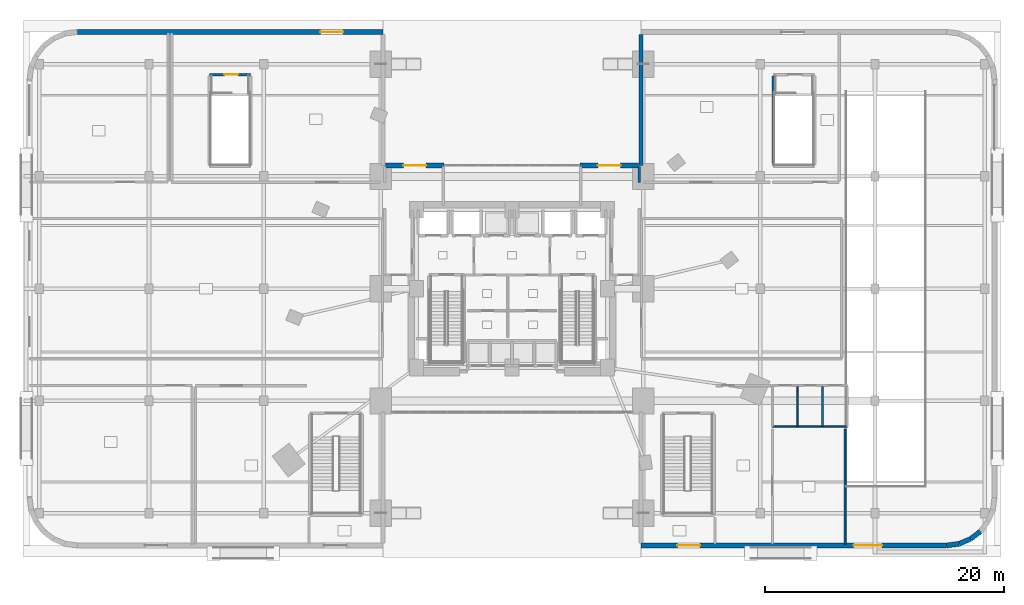
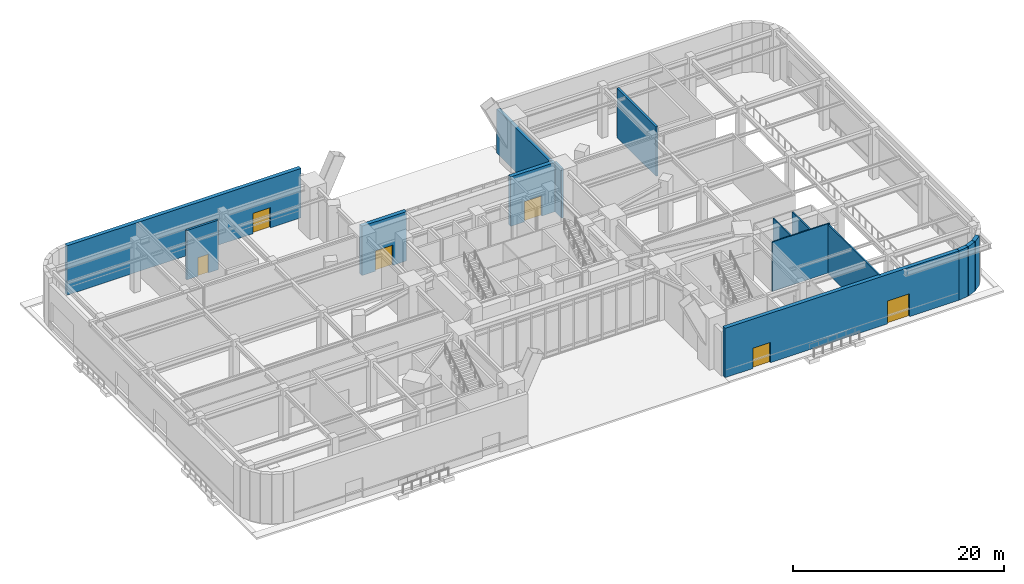
# One storey, part 20 of 27: 15 walls, 6 doors, 6 openings.
"""IFC4 building model written with IfcOpenShell, lengths in metres."""

import ifcopenshell
import ifcopenshell.guid

model = None  # the IFC model being written
_history = None  # IfcOwnerHistory: only IFC2X3 demands one
_inside = {}  # id of a spatial element -> (the spatial element, [elements in it])
_under = {}  # id of a project, library or spatial element -> (it, [spatial elements below it])
_declared = {}  # id of a project -> (the project, [libraries it declares])
_typed = {}  # id of a type object -> (the type object, [elements of that type])
_made_of = {}  # id of a material, layer set ... -> (it, [elements and type objects made of it])


def new_model(schema):
    """Start an empty IFC model of exactly this schema.

    Asked for "IFC4X3", IfcOpenShell would pick the latest addendum, in which some entities
    have other attributes; the version numbers below select the first issue.
    IFC2X3 requires an IfcOwnerHistory on every rooted entity: one is made here for all.
    """
    global model, _history
    if schema == "IFC4X3":
        model = ifcopenshell.file(schema_version=(4, 3, 0, 0))
    else:
        model = ifcopenshell.file(schema=schema)
    _inside.clear()
    _under.clear()
    _declared.clear()
    _typed.clear()
    _made_of.clear()
    _history = None
    if model.schema == "IFC2X3":
        org = make("IfcOrganization", Name="unknown")
        user = make(
            "IfcPersonAndOrganization",
            ThePerson=make("IfcPerson", FamilyName="unknown"),
            TheOrganization=org,
        )
        app = make(
            "IfcApplication",
            ApplicationDeveloper=org,
            Version="unknown",
            ApplicationFullName="unknown",
            ApplicationIdentifier="unknown",
        )
        _history = make(
            "IfcOwnerHistory",
            OwningUser=user,
            OwningApplication=app,
            ChangeAction="ADDED",
            CreationDate=0,
        )
    return model


def make(cls, **values):
    """One entity of the class cls with the attributes given. An attribute that is None is left unset."""
    return model.create_entity(
        cls, **{name: value for name, value in values.items() if value is not None}
    )


def rooted(cls, **values):
    """An entity with a GlobalId (a new one), such as an element, a storey or a relation."""
    return make(cls, GlobalId=ifcopenshell.guid.new(), OwnerHistory=_history, **values)


def si_unit(unit_type, name, prefix=None):
    """IfcSIUnit, for example si_unit("LENGTHUNIT", "METRE", prefix="MILLI")."""
    return make("IfcSIUnit", UnitType=unit_type, Prefix=prefix, Name=name)


def assignment(units):
    """IfcUnitAssignment: the units of a project."""
    return None if units is None else make("IfcUnitAssignment", Units=units)


def point(xyz):
    """IfcCartesianPoint."""
    return None if xyz is None else make("IfcCartesianPoint", Coordinates=xyz)


def direction(xyz):
    """IfcDirection."""
    return None if xyz is None else make("IfcDirection", DirectionRatios=xyz)


def frame(location, z_axis=None, x_axis=None):
    """IfcAxis2Placement3D, a coordinate frame: its origin and axes. An axis left out is left unset."""
    return make(
        "IfcAxis2Placement3D",
        Location=point(location),
        Axis=direction(z_axis),
        RefDirection=direction(x_axis),
    )


def frame_2d(location, x_axis=None):
    """IfcAxis2Placement2D, a coordinate frame in the plane: its origin and x axis."""
    return make(
        "IfcAxis2Placement2D", Location=point(location), RefDirection=direction(x_axis)
    )


def origin():
    """The frame at (0, 0, 0) with its axes left unset."""
    return frame((0.0, 0.0, 0.0))


def place(relative_to, where):
    """IfcLocalPlacement: puts the frame where relative to a parent placement (None: the world)."""
    return make(
        "IfcLocalPlacement", PlacementRelTo=relative_to, RelativePlacement=where
    )


def context(
    kind, dimensions, precision=None, world=None, true_north=None, identifier=None
):
    """IfcGeometricRepresentationContext, for example the 3D "Model" context."""
    return make(
        "IfcGeometricRepresentationContext",
        ContextIdentifier=identifier,
        ContextType=kind,
        CoordinateSpaceDimension=dimensions,
        Precision=precision,
        WorldCoordinateSystem=world,
        TrueNorth=true_north,
    )


def subcontext(parent, identifier, kind, view, scale=None):
    """IfcGeometricRepresentationSubContext, for example "Body" below "Model"."""
    return make(
        "IfcGeometricRepresentationSubContext",
        ContextIdentifier=identifier,
        ContextType=kind,
        ParentContext=parent,
        TargetScale=scale,
        TargetView=view,
    )


def project(units=None, contexts=None):
    """IfcProject with its units and contexts."""
    return rooted(
        "IfcProject",
        Name="project",
        RepresentationContexts=contexts,
        UnitsInContext=assignment(units),
    )


def spatial(cls, under=None, at=None, **own):
    """A site, building, storey or space (cls), placed at a placement, below another one or the project."""
    s = rooted(cls, ObjectPlacement=at, **own)
    if under is not None:
        _under.setdefault(under.id(), (under, []))[1].append(s)
    return s


def profile(cls, at=None, kind="AREA", **sizes):
    """A parametric profile (cls). Its sizes go by their IFC names, for example OverallWidth=200.0."""
    return make(cls, ProfileType=kind, Position=at, **sizes)


def rectangle(**sizes):
    """IfcRectangleProfileDef."""
    return profile("IfcRectangleProfileDef", **sizes)


def extrude(swept, where, along, depth):
    """IfcExtrudedAreaSolid: the profile swept, set in the frame where, extruded along a direction by depth."""
    return make(
        "IfcExtrudedAreaSolid",
        SweptArea=swept,
        Position=where,
        ExtrudedDirection=direction(along),
        Depth=depth,
    )


def shape(context_of_items, identifier, shape_type, items):
    """IfcShapeRepresentation: the items that make up one representation, for example the "Body"."""
    return make(
        "IfcShapeRepresentation",
        ContextOfItems=context_of_items,
        RepresentationIdentifier=identifier,
        RepresentationType=shape_type,
        Items=items,
    )


def material(Name=None, Category=None):
    """IfcMaterial."""
    return make("IfcMaterial", Name=Name, Category=Category)


def layer(
    of_material, thickness, ventilated=None, Name=None, Category=None, Priority=None
):
    """IfcMaterialLayer: one layer of a wall or slab, of a material (None: an air gap)."""
    return make(
        "IfcMaterialLayer",
        Material=of_material,
        LayerThickness=thickness,
        IsVentilated=ventilated,
        Name=Name,
        Category=Category,
        Priority=Priority,
    )


def layer_set(layers, Name=None):
    """IfcMaterialLayerSet."""
    return make("IfcMaterialLayerSet", MaterialLayers=layers, LayerSetName=Name)


def made_of(thing, what):
    """Note that an element or type object is made of a material, layer set ...; save() writes the relation."""
    if what is not None:
        _made_of.setdefault(what.id(), (what, []))[1].append(thing)
    return thing


def type_object(cls, material=None, **own):
    """A type object (cls), such as IfcWallType, which elements share."""
    return made_of(rooted(cls, **own), material)


def element(
    cls,
    number,
    at=None,
    inside=None,
    cuts=None,
    type_object=None,
    material=None,
    context=None,
    identifier="Body",
    shape_type=None,
    held_by="IfcProductDefinitionShape",
    body=None,
    shapes=None,
    **own,
):
    """One element of the class cls, such as IfcWall. Its Tag is "e" and its number.

    at: its placement. inside: the storey or other place that contains it. cuts: it is an
    opening in that element (IfcRelVoidsElement). A single representation is given by context,
    identifier, shape_type and body (its items); several are given by shapes. held_by: the class
    of the entity that holds the representations. save() writes the other relations.
    """
    e = rooted(cls, Tag="e%d" % number, ObjectPlacement=at, **own)
    if body is not None:
        shapes = [shape(context, identifier, shape_type, body)]
    if shapes is not None:
        e.Representation = make(held_by, Representations=shapes)
    if inside is not None:
        _inside.setdefault(inside.id(), (inside, []))[1].append(e)
    if cuts is not None:
        rooted(
            "IfcRelVoidsElement", RelatingBuildingElement=cuts, RelatedOpeningElement=e
        )
    if type_object is not None:
        _typed.setdefault(type_object.id(), (type_object, []))[1].append(e)
    return made_of(e, material)


def fill(opening, filler):
    """IfcRelFillsElement: the door or window that sits in an opening."""
    return rooted(
        "IfcRelFillsElement",
        RelatingOpeningElement=opening,
        RelatedBuildingElement=filler,
    )


def aggregate(whole, parts):
    """IfcRelAggregates: a whole, such as a stair, and the parts it consists of."""
    return rooted("IfcRelAggregates", RelatingObject=whole, RelatedObjects=parts)


def save(model, path):
    """Write the relations noted so far, then the file.

    IfcRelAggregates (storeys below a building ...), IfcRelContainedInSpatialStructure (elements
    in a storey), IfcRelDefinesByType, IfcRelAssociatesMaterial and IfcRelDeclares: one each for
    every whole, place, type object, material and project.
    """
    for whole, parts in _under.values():
        aggregate(whole, parts)
    for where, things in _inside.values():
        rooted(
            "IfcRelContainedInSpatialStructure",
            RelatedElements=things,
            RelatingStructure=where,
        )
    for kind, things in _typed.values():
        rooted("IfcRelDefinesByType", RelatedObjects=things, RelatingType=kind)
    for what, things in _made_of.values():
        rooted("IfcRelAssociatesMaterial", RelatedObjects=things, RelatingMaterial=what)
    for by, libraries in _declared.values():
        rooted("IfcRelDeclares", RelatingContext=by, RelatedDefinitions=libraries)
    model.write(path)


model = new_model("IFC4")

# Units and contexts
model_context = context("Model", 3, precision=1e-05, world=origin(), true_north=direction((0.0, 1.0)))
body_context = subcontext(model_context, "Body", "Model", "MODEL_VIEW")
ifc_project = project(units=[si_unit("LENGTHUNIT", "METRE"), si_unit("AREAUNIT", "SQUARE_METRE"), si_unit("VOLUMEUNIT", "CUBIC_METRE"), si_unit("PLANEANGLEUNIT", "RADIAN"), si_unit("MASSUNIT", "GRAM", prefix="KILO")], contexts=[model_context])

# Site, building, storey
site_placement = place(None, origin())
site = spatial("IfcSite", under=ifc_project, at=site_placement, CompositionType="ELEMENT")
building_placement = place(site_placement, origin())
building = spatial("IfcBuilding", under=site, at=building_placement, Name="Ndelora Gate Hotel", CompositionType="ELEMENT")
storey_placement = place(building_placement, origin())
storey = spatial("IfcBuildingStorey", under=building, at=storey_placement, Name="L00", CompositionType="ELEMENT", Elevation=0.0)

# Wall
ifc_material_1 = material(Name="Clay Brick Masonry", Category="masonry")
ifc_layer_1 = layer(ifc_material_1, 0.360107421875)
ifc_layer_set_1 = layer_set([ifc_layer_1], Name="Clay Brick Masonry")
wall_type_1 = type_object("IfcWallType", Name="WL-BRICK-360", PredefinedType="SOLIDWALL", material=ifc_layer_set_1)
wall_1_placement = place(storey_placement, frame((10.800048828125, 21.2900390625, 0.0), z_axis=(0.0, 0.0, 1.0), x_axis=(0.0, -1.0, 0.0)))
element("IfcWall", 1, at=wall_1_placement, inside=storey, type_object=wall_type_1, Name="L00 Portal Arch Brick Return Wall NE-RET", PredefinedType="SOLIDWALL", context=body_context, shape_type="SweptSolid", body=[
    extrude(rectangle(XDim=10.969970703125, YDim=0.360107421875, at=frame_2d((5.48486328125, 0.0))), origin(), (0.0, 0.0, 1.0), 5.10009765625),
])

# Wall, opening, door
ifc_layer_2 = layer(ifc_material_1, 0.419921875)
ifc_layer_set_2 = layer_set([ifc_layer_2], Name="Clay Brick Masonry")
wall_type_2 = type_object("IfcWallType", Name="WL-BRICK-420", PredefinedType="SOLIDWALL", material=ifc_layer_set_2)
wall_2_placement = place(storey_placement, frame((-10.60009765625, 10.320068359375, 0.0), z_axis=(0.0, 0.0, 1.0), x_axis=(1.0, 0.0, 0.0)))
wall_2 = element("IfcWall", 2, at=wall_2_placement, inside=storey, type_object=wall_type_2, Name="L00 North Arch Protected Exit Wall W", PredefinedType="SOLIDWALL", context=body_context, shape_type="SweptSolid", body=[
    extrude(rectangle(XDim=4.900146484375, YDim=0.419921875, at=frame_2d((2.4501953125, 0.0))), origin(), (0.0, 0.0, 1.0), 5.719970703125),
])
opening_1_placement = place(wall_2_placement, frame((1.5, 0.0, 0.0)))
opening_1 = element("IfcOpeningElement", 3, at=opening_1_placement, cuts=wall_2, Name="Opening ED2", PredefinedType="OPENING", context=body_context, shape_type="SweptSolid", body=[
    extrude(rectangle(XDim=1.89990234375, YDim=2.35009765625, at=frame_2d((0.949951171875, 1.175048828125))), frame((0.0, 0.219970703125, 0.0), z_axis=(0.0, -1.0, 0.0), x_axis=(1.0, 0.0, 0.0)), (0.0, 0.0, 1.0), 0.43994140625),
])
ifc_material_2 = material(Name="Architectural Bronze Glazed Door", Category="metal")
door_type_1 = type_object("IfcDoorType", Name="DR-EXT-1900", OperationType="DOUBLE_DOOR_SINGLE_SWING", PredefinedType="DOOR", material=ifc_material_2)
door_1_placement = place(opening_1_placement, origin())
door_1 = element("IfcDoor", 4, at=door_1_placement, inside=storey, type_object=door_type_1, Name="L00 Core Stair ST4 Protected Exit Discharge Door E-11", OperationType="DOUBLE_DOOR_SINGLE_SWING", OverallHeight=2.35009765625, OverallWidth=1.89990234375, PredefinedType="DOOR", context=body_context, shape_type="SweptSolid", body=[
    extrude(rectangle(XDim=1.89990234375, YDim=2.35009765625, at=frame_2d((0.949951171875, 1.175048828125))), frame((0.0, 0.02490234375, 0.0), z_axis=(0.0, -1.0, 0.0), x_axis=(1.0, 0.0, 0.0)), (0.0, 0.0, 1.0), 0.050048828125),
])
fill(opening_1, door_1)

wall_3_placement = place(storey_placement, frame((5.699951171875, 10.320068359375, 0.0), z_axis=(0.0, 0.0, 1.0), x_axis=(1.0, 0.0, 0.0)))
wall_3 = element("IfcWall", 5, at=wall_3_placement, inside=storey, type_object=wall_type_2, Name="L00 North Arch Protected Exit Wall E", PredefinedType="SOLIDWALL", context=body_context, shape_type="SweptSolid", body=[
    extrude(rectangle(XDim=4.900146484375, YDim=0.419921875, at=frame_2d((2.4501953125, 0.0))), origin(), (0.0, 0.0, 1.0), 5.719970703125),
])
opening_2_placement = place(wall_3_placement, frame((1.5, 0.0, 0.0)))
opening_2 = element("IfcOpeningElement", 6, at=opening_2_placement, cuts=wall_3, Name="Opening ED2", PredefinedType="OPENING", context=body_context, shape_type="SweptSolid", body=[
    extrude(rectangle(XDim=1.89990234375, YDim=2.35009765625, at=frame_2d((0.949951171875, 1.175048828125))), frame((0.0, 0.219970703125, 0.0), z_axis=(0.0, -1.0, 0.0), x_axis=(1.0, 0.0, 0.0)), (0.0, 0.0, 1.0), 0.43994140625),
])
door_2_placement = place(opening_2_placement, origin())
door_2 = element("IfcDoor", 7, at=door_2_placement, inside=storey, type_object=door_type_1, Name="L00 Core Stair ST5 Protected Exit Discharge Door E-12", OperationType="DOUBLE_DOOR_SINGLE_SWING", OverallHeight=2.35009765625, OverallWidth=1.89990234375, PredefinedType="DOOR", context=body_context, shape_type="SweptSolid", body=[
    extrude(rectangle(XDim=1.89990234375, YDim=2.35009765625, at=frame_2d((0.949951171875, 1.175048828125))), frame((0.0, 0.02490234375, 0.0), z_axis=(0.0, -1.0, 0.0), x_axis=(1.0, 0.0, 0.0)), (0.0, 0.0, 1.0), 0.050048828125),
])
fill(opening_2, door_2)

# Walls
wall_4_placement = place(storey_placement, frame((37.435302734375, -21.36376953125, 0.0), z_axis=(0.0, 0.0, 1.0), x_axis=(-0.991455091231, -0.130448465198, 0.0)))
element("IfcWall", 8, at=wall_4_placement, inside=storey, type_object=wall_type_2, Name="L00 Exterior Brick Pier-and-Spandrel Wall 1", PredefinedType="SOLIDWALL", context=body_context, shape_type="SweptSolid", body=[
    extrude(rectangle(XDim=1.04443359375, YDim=0.419921875, at=frame_2d((0.522216796875, 0.0))), origin(), (0.0, 0.0, 1.0), 5.719970703125),
])
wall_5_placement = place(storey_placement, frame((38.39990234375, -20.964111328125, 0.0), z_axis=(0.0, 0.0, 1.0), x_axis=(-0.923842970528, -0.382771688877, 0.0)))
element("IfcWall", 9, at=wall_5_placement, inside=storey, type_object=wall_type_2, Name="L00 Exterior Brick Pier-and-Spandrel Wall 2", PredefinedType="SOLIDWALL", context=body_context, shape_type="SweptSolid", body=[
    extrude(rectangle(XDim=1.044189453125, YDim=0.419921875, at=frame_2d((0.52197265625, 0.0))), origin(), (0.0, 0.0, 1.0), 5.719970703125),
])
wall_6_placement = place(storey_placement, frame((39.228515625, -20.328369140625, 0.0), z_axis=(0.0, 0.0, 1.0), x_axis=(-0.793388088797, -0.608716141198, 0.0)))
element("IfcWall", 10, at=wall_6_placement, inside=storey, type_object=wall_type_2, Name="L00 Exterior Brick Pier-and-Spandrel Wall 3", PredefinedType="SOLIDWALL", context=body_context, shape_type="SweptSolid", body=[
    extrude(rectangle(XDim=1.04443359375, YDim=0.419921875, at=frame_2d((0.522216796875, 0.0))), origin(), (0.0, 0.0, 1.0), 5.719970703125),
])

# Wall, opening, door
wall_7_placement = place(storey_placement, frame((-36.39990234375, 21.5, 0.0), z_axis=(0.0, 0.0, 1.0), x_axis=(1.0, 0.0, 0.0)))
wall_7 = element("IfcWall", 11, at=wall_7_placement, inside=storey, type_object=wall_type_2, Name="L00 Exterior Brick Pier-and-Spandrel Wall 14", PredefinedType="SOLIDWALL", context=body_context, shape_type="SweptSolid", body=[
    extrude(rectangle(XDim=25.599853515625, YDim=0.419921875, at=frame_2d((12.7998046875, 0.0))), origin(), (0.0, 0.0, 1.0), 5.719970703125),
])
opening_3_placement = place(wall_7_placement, frame((20.35009765625, 0.0, 0.0)))
opening_3 = element("IfcOpeningElement", 12, at=opening_3_placement, cuts=wall_7, Name="Opening ED2", PredefinedType="OPENING", context=body_context, shape_type="SweptSolid", body=[
    extrude(rectangle(XDim=1.89990234375, YDim=2.35009765625, at=frame_2d((0.949951171875, 1.175048828125))), frame((0.0, 0.219970703125, 0.0), z_axis=(0.0, -1.0, 0.0), x_axis=(1.0, 0.0, 0.0)), (0.0, 0.0, 1.0), 0.43994140625),
])
door_3_placement = place(opening_3_placement, origin())
door_3 = element("IfcDoor", 13, at=door_3_placement, inside=storey, type_object=door_type_1, Name="L00 West Protected Exit Discharge Door E-05", OperationType="DOUBLE_DOOR_SINGLE_SWING", OverallHeight=2.35009765625, OverallWidth=1.89990234375, PredefinedType="DOOR", context=body_context, shape_type="SweptSolid", body=[
    extrude(rectangle(XDim=1.89990234375, YDim=2.35009765625, at=frame_2d((0.949951171875, 1.175048828125))), frame((0.0, 0.02490234375, 0.0), z_axis=(0.0, -1.0, 0.0), x_axis=(1.0, 0.0, 0.0)), (0.0, 0.0, 1.0), 0.050048828125),
])
fill(opening_3, door_3)

# Wall, openings, doors
wall_8_placement = place(storey_placement, frame((36.39990234375, -21.5, 0.0), z_axis=(0.0, 0.0, 1.0), x_axis=(-1.0, 0.0, 0.0)))
wall_8 = element("IfcWall", 14, at=wall_8_placement, inside=storey, type_object=wall_type_2, Name="L00 Exterior Brick Pier-and-Spandrel Wall 30", PredefinedType="SOLIDWALL", context=body_context, shape_type="SweptSolid", body=[
    extrude(rectangle(XDim=25.599853515625, YDim=0.419921875, at=frame_2d((12.7998046875, 0.0))), origin(), (0.0, 0.0, 1.0), 5.719970703125),
])
opening_4_placement = place(wall_8_placement, frame((5.39990234375, 0.0, 0.0)))
opening_4 = element("IfcOpeningElement", 15, at=opening_4_placement, cuts=wall_8, Name="Opening ED1", PredefinedType="OPENING", context=body_context, shape_type="SweptSolid", body=[
    extrude(rectangle(XDim=2.39990234375, YDim=2.64990234375, at=frame_2d((1.199951171875, 1.324951171875))), frame((0.0, 0.219970703125, 0.0), z_axis=(0.0, -1.0, 0.0), x_axis=(1.0, 0.0, 0.0)), (0.0, 0.0, 1.0), 0.43994140625),
])
opening_5_placement = place(wall_8_placement, frame((20.64990234375, 0.0, 0.0)))
opening_5 = element("IfcOpeningElement", 16, at=opening_5_placement, cuts=wall_8, Name="Opening ED2", PredefinedType="OPENING", context=body_context, shape_type="SweptSolid", body=[
    extrude(rectangle(XDim=1.89990234375, YDim=2.35009765625, at=frame_2d((0.949951171875, 1.175048828125))), frame((0.0, 0.219970703125, 0.0), z_axis=(0.0, -1.0, 0.0), x_axis=(1.0, 0.0, 0.0)), (0.0, 0.0, 1.0), 0.43994140625),
])
door_4_placement = place(opening_5_placement, origin())
door_4 = element("IfcDoor", 17, at=door_4_placement, inside=storey, type_object=door_type_1, Name="L00 Ballroom Stair ST3B Street Discharge Door E-10", OperationType="DOUBLE_DOOR_SINGLE_SWING", OverallHeight=2.35009765625, OverallWidth=1.89990234375, PredefinedType="DOOR", context=body_context, shape_type="SweptSolid", body=[
    extrude(rectangle(XDim=1.89990234375, YDim=2.35009765625, at=frame_2d((0.949951171875, 1.175048828125))), frame((0.0, 0.02490234375, 0.0), z_axis=(0.0, -1.0, 0.0), x_axis=(1.0, 0.0, 0.0)), (0.0, 0.0, 1.0), 0.050048828125),
])
fill(opening_5, door_4)
door_type_2 = type_object("IfcDoorType", Name="DR-EXT-2400", OperationType="DOUBLE_DOOR_SINGLE_SWING", PredefinedType="DOOR", material=ifc_material_2)
door_5_placement = place(opening_4_placement, origin())
door_5 = element("IfcDoor", 18, at=door_5_placement, inside=storey, type_object=door_type_2, Name="L00 Brasserie Street Entrance E-07", OperationType="DOUBLE_DOOR_SINGLE_SWING", OverallHeight=2.64990234375, OverallWidth=2.39990234375, PredefinedType="DOOR", context=body_context, shape_type="SweptSolid", body=[
    extrude(rectangle(XDim=2.39990234375, YDim=2.64990234375, at=frame_2d((1.199951171875, 1.324951171875))), frame((0.0, 0.02490234375, 0.0), z_axis=(0.0, -1.0, 0.0), x_axis=(1.0, 0.0, 0.0)), (0.0, 0.0, 1.0), 0.050048828125),
])
fill(opening_4, door_5)

# Walls
ifc_material_3 = material(Name="Concrete C40/50", Category="concrete")
ifc_layer_3 = layer(ifc_material_3, 0.199951171875)
ifc_layer_set_3 = layer_set([ifc_layer_3], Name="Concrete C40/50")
wall_type_3 = type_object("IfcWallType", Name="WL-FIRE-200", PredefinedType="PARTITIONING", material=ifc_layer_set_3)
wall_9_placement = place(storey_placement, frame((10.64990234375, 8.8798828125, 0.0), z_axis=(0.0, 0.0, 1.0), x_axis=(0.0, 1.0, 0.0)))
element("IfcWall", 19, at=wall_9_placement, inside=storey, type_object=wall_type_3, Name="L00 Interior Wall IW-2", PredefinedType="PARTITIONING", context=body_context, shape_type="SweptSolid", body=[
    extrude(rectangle(XDim=1.3701171875, YDim=0.199951171875, at=frame_2d((0.68505859375, 0.0))), origin(), (0.0, 0.0, 1.0), 5.719970703125),
])
ifc_material_4 = material(Name="Fire-Rated Gypsum Stud Partition", Category="gypsum")
ifc_layer_4 = layer(ifc_material_4, 0.159912109375)
ifc_layer_set_4 = layer_set([ifc_layer_4], Name="Fire-Rated Gypsum Stud Partition")
wall_type_4 = type_object("IfcWallType", Name="WL-PART-160", PredefinedType="PARTITIONING", material=ifc_layer_set_4)
wall_10_placement = place(storey_placement, frame((27.89990234375, -21.39990234375, 0.0), z_axis=(0.0, 0.0, 1.0), x_axis=(0.0, 1.0, 0.0)))
element("IfcWall", 20, at=wall_10_placement, inside=storey, type_object=wall_type_4, Name="L00 Interior Wall IW-4", PredefinedType="PARTITIONING", context=body_context, shape_type="SweptSolid", body=[
    extrude(rectangle(XDim=9.64990234375, YDim=0.159912109375, at=frame_2d((4.824951171875, 0.0))), origin(), (0.0, 0.0, 1.0), 5.719970703125),
])

# Wall, opening, door
ifc_material_5 = material(Name="Concrete C50/60", Category="concrete")
ifc_layer_5 = layer(ifc_material_5, 0.239990234375)
ifc_layer_set_5 = layer_set([ifc_layer_5], Name="Concrete C50/60")
wall_type_5 = type_object("IfcWallType", Name="WL-STAIR-240", PredefinedType="SHEAR", material=ifc_layer_set_5)
wall_11_placement = place(storey_placement, frame((-21.8798828125, 17.919921875, 0.0), z_axis=(0.0, 0.0, 1.0), x_axis=(-1.0, 0.0, 0.0)))
wall_11 = element("IfcWall", 21, at=wall_11_placement, inside=storey, type_object=wall_type_5, Name="L00 Stair Core Shear Wall SW-ST", PredefinedType="SHEAR", context=body_context, shape_type="SweptSolid", body=[
    extrude(rectangle(XDim=3.440185546875, YDim=0.239990234375, at=frame_2d((1.72021484375, 0.0))), origin(), (0.0, 0.0, 1.0), 5.719970703125),
])
opening_6_placement = place(wall_11_placement, frame((1.050048828125, 0.0, 0.0)))
opening_6 = element("IfcOpeningElement", 22, at=opening_6_placement, cuts=wall_11, Name="Opening FD1", PredefinedType="OPENING", context=body_context, shape_type="SweptSolid", body=[
    extrude(rectangle(XDim=1.14990234375, YDim=2.14990234375, at=frame_2d((0.574951171875, 1.074951171875))), frame((0.0, 0.1298828125, 0.0), z_axis=(0.0, -1.0, 0.0), x_axis=(1.0, 0.0, 0.0)), (0.0, 0.0, 1.0), 0.260009765625),
])
ifc_material_6 = material(Name="Fire-Rated Timber-Veneer Steel Core", Category="steel")
door_type_3 = type_object("IfcDoorType", Name="DR-FD60", OperationType="SINGLE_SWING_LEFT", PredefinedType="DOOR", material=ifc_material_6)
door_6_placement = place(opening_6_placement, origin())
door_6 = element("IfcDoor", 23, at=door_6_placement, inside=storey, type_object=door_type_3, Name="L00 Basement Stair ST1 Protected Passage Door", OperationType="SINGLE_SWING_LEFT", OverallHeight=2.14990234375, OverallWidth=1.14990234375, PredefinedType="DOOR", context=body_context, shape_type="SweptSolid", body=[
    extrude(rectangle(XDim=1.14990234375, YDim=2.14990234375, at=frame_2d((0.574951171875, 1.074951171875))), frame((0.0, 0.02490234375, 0.0), z_axis=(0.0, -1.0, 0.0), x_axis=(1.0, 0.0, 0.0)), (0.0, 0.0, 1.0), 0.050048828125),
])
fill(opening_6, door_6)

# Walls
wall_12_placement = place(storey_placement, frame((21.8798828125, 10.389892578125, 0.0), z_axis=(0.0, 0.0, 1.0), x_axis=(0.0, 1.0, 0.0)))
element("IfcWall", 24, at=wall_12_placement, inside=storey, type_object=wall_type_5, Name="L00 Stair Core Shear Wall SW-ST", PredefinedType="SHEAR", context=body_context, shape_type="SweptSolid", body=[
    extrude(rectangle(XDim=7.420166015625, YDim=0.239990234375, at=frame_2d((3.7099609375, 0.0))), origin(), (0.0, 0.0, 1.0), 5.719970703125),
])
ifc_material_7 = material(Name="Moisture-Resistant Fire-Rated Tile Partition", Category="gypsum")
ifc_layer_6 = layer(ifc_material_7, 0.1298828125)
ifc_layer_set_6 = layer_set([ifc_layer_6], Name="Moisture-Resistant Fire-Rated Tile Partition")
wall_type_6 = type_object("IfcWallType", Name="WL-WET-RATED", PredefinedType="PARTITIONING", material=ifc_layer_set_6)
for number, where, z_axis, x_axis, name in (
    (25, (23.89990234375, -11.550048828125, 0.0), (0.0, 0.0, 1.0), (0.0, 1.0, 0.0), "L00 Interior Wall IW-6"),
    (26, (26.0, -11.550048828125, 0.0), (0.0, 0.0, 1.0), (0.0, 1.0, 0.0), "L00 Interior Wall IW-6"),
):
    element("IfcWall", number, at=place(storey_placement, frame(where, z_axis=z_axis, x_axis=x_axis)), inside=storey, type_object=wall_type_6, Name=name, PredefinedType="PARTITIONING", context=body_context, shape_type="SweptSolid", body=[
        extrude(rectangle(XDim=3.340087890625, YDim=0.1298828125, at=frame_2d((1.669921875, 0.0))), origin(), (0.0, 0.0, 1.0), 5.719970703125),
    ])
wall_13_placement = place(storey_placement, frame((21.800048828125, -11.550048828125, 0.0), z_axis=(0.0, 0.0, 1.0), x_axis=(1.0, 0.0, 0.0)))
element("IfcWall", 27, at=wall_13_placement, inside=storey, type_object=wall_type_6, Name="L00 Interior Wall IW-6", PredefinedType="PARTITIONING", context=body_context, shape_type="SweptSolid", body=[
    extrude(rectangle(XDim=6.300048828125, YDim=0.1298828125, at=frame_2d((3.14990234375, 0.0))), origin(), (0.0, 0.0, 1.0), 5.719970703125),
])

save(model, "model.ifc")
